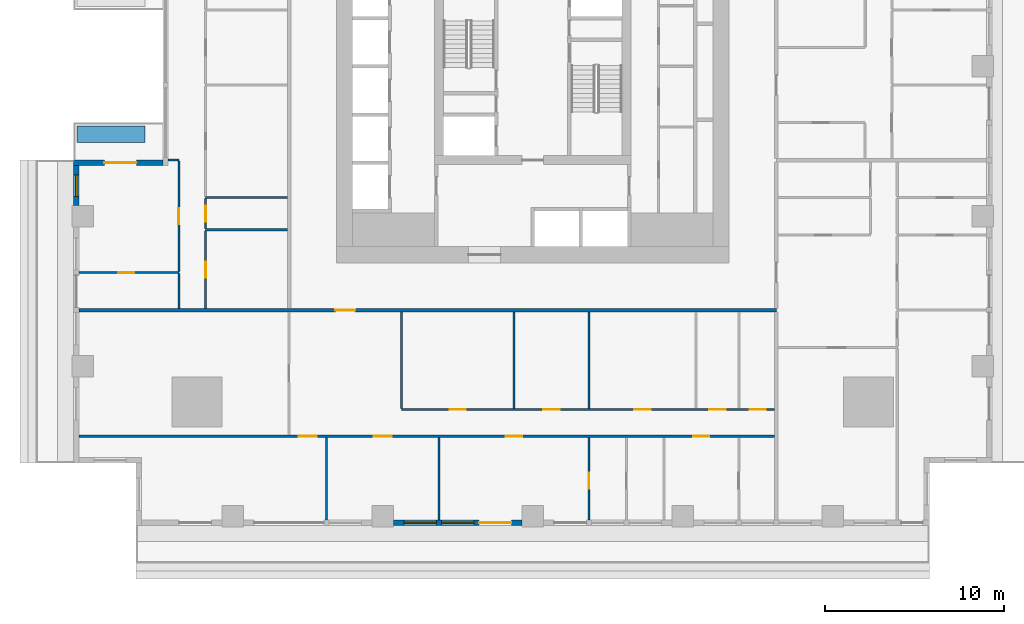
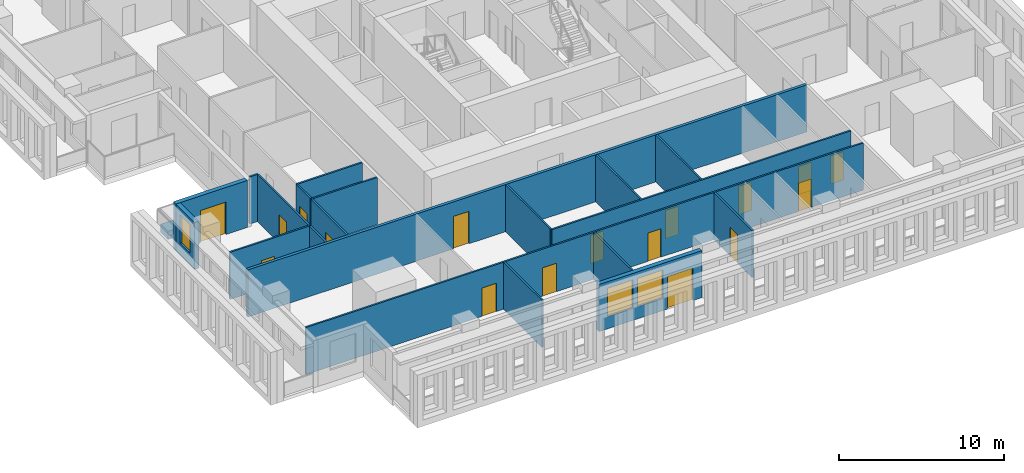
# One storey, part 2 of 14: 21 walls, 17 doors, 3 windows, 20 openings.
"""IFC4 building model written with IfcOpenShell, lengths in metres."""

from ifc_helpers import new_model, si_unit, direction, frame, frame_2d, origin, place, context, subcontext, project, spatial, rectangle, extrude, material, layer, layer_set, type_object, element, fill, save


model = new_model("IFC4")

# Units and contexts
model_context = context("Model", 3, precision=1e-05, world=origin(), true_north=direction((0.0, 1.0)))
body_context = subcontext(model_context, "Body", "Model", "MODEL_VIEW")
ifc_project = project(units=[si_unit("LENGTHUNIT", "METRE"), si_unit("AREAUNIT", "SQUARE_METRE"), si_unit("VOLUMEUNIT", "CUBIC_METRE"), si_unit("PLANEANGLEUNIT", "RADIAN"), si_unit("MASSUNIT", "GRAM", prefix="KILO")], contexts=[model_context])

# Site, building, storey
site_placement = place(None, origin())
site = spatial("IfcSite", under=ifc_project, at=site_placement, CompositionType="ELEMENT")
building_placement = place(site_placement, origin())
building = spatial("IfcBuilding", under=site, at=building_placement, Name="Khepri Terraces", CompositionType="ELEMENT")
storey_placement = place(building_placement, frame((0.0, 0.0, 87.0)))
storey = spatial("IfcBuildingStorey", under=building, at=storey_placement, Name="L20", CompositionType="ELEMENT", Elevation=87.0)

# Wall, opening, door
ifc_material_1 = material(Name="Fire-rated gypsum plasterboard partition, mineral wool")
ifc_layer_1 = layer(ifc_material_1, 0.199951171875, Name="Fire-rated gypsum plasterboard partition, mineral wool")
ifc_layer_set_1 = layer_set([ifc_layer_1], Name="Fire-rated gypsum plasterboard partition, mineral wool")
wall_type_1 = type_object("IfcWallType", Name="WL-CORR-200", PredefinedType="PARTITIONING", material=ifc_layer_set_1)
wall_1_placement = place(storey_placement, frame((-25.419921875, -13.64990234375, 0.0), z_axis=(0.0, 0.0, 1.0), x_axis=(1.0, 0.0, 0.0)))
wall_1 = element("IfcWall", 1, at=wall_1_placement, inside=storey, type_object=wall_type_1, Name="Partition P-019 L20", PredefinedType="PARTITIONING", context=body_context, shape_type="SweptSolid", body=[
    extrude(rectangle(XDim=39.06982421875, YDim=0.199951171875, at=frame_2d((19.534912109375, 0.0))), origin(), (0.0, 0.0, 1.0), 3.47998046875),
])
opening_1_placement = place(wall_1_placement, frame((14.3701171875, 0.0, 0.0)))
opening_1 = element("IfcOpeningElement", 2, at=opening_1_placement, cuts=wall_1, Name="Opening D1", PredefinedType="OPENING", context=body_context, shape_type="SweptSolid", body=[
    extrude(rectangle(XDim=1.10009765625, YDim=2.39990234375, at=frame_2d((0.550048828125, 1.199951171875))), frame((0.0, 0.10986328125, 0.0), z_axis=(0.0, -1.0, 0.0), x_axis=(1.0, 0.0, 0.0)), (0.0, 0.0, 1.0), 0.219970703125),
])
ifc_material_2 = material(Name="Solid-core timber door leaf, flat entrance door", Category="wood")
door_type_1 = type_object("IfcDoorType", Name="DR-ENT-1100", OperationType="NOTDEFINED", PredefinedType="DOOR", material=ifc_material_2)
door_1_placement = place(opening_1_placement, frame((1.10009765625, 0.0, 0.0), z_axis=(0.0, 0.0, 1.0), x_axis=(-1.0, 0.0, 0.0)))
door_1 = element("IfcDoor", 3, at=door_1_placement, inside=storey, type_object=door_type_1, Name="Flat A1 entrance door", OperationType="SINGLE_SWING_RIGHT", OverallHeight=2.39990234375, OverallWidth=1.10009765625, PredefinedType="DOOR", context=body_context, shape_type="SweptSolid", body=[
    extrude(rectangle(XDim=1.10009765625, YDim=2.39990234375, at=frame_2d((0.550048828125, 1.199951171875))), frame((0.0, 0.02490234375, 0.0), z_axis=(0.0, -1.0, 0.0), x_axis=(1.0, 0.0, 0.0)), (0.0, 0.0, 1.0), 0.050048828125),
])
fill(opening_1, door_1)

ifc_material_3 = material(Name="Precast concrete C50/60 warm stone", Category="masonry")
ifc_layer_2 = layer(ifc_material_3, 0.300048828125, Name="Precast concrete C50/60 warm stone", Category="masonry")
ifc_layer_set_2 = layer_set([ifc_layer_2], Name="Precast concrete C50/60 warm stone")
wall_type_2 = type_object("IfcWallType", Name="WL-EXT-PRECAST-300", PredefinedType="STANDARD", material=ifc_layer_set_2)
wall_2_placement = place(storey_placement, frame((-20.719970703125, -5.39990234375, 0.0), z_axis=(0.0, 0.0, 1.0), x_axis=(-1.0, 0.0, 0.0)))
wall_2 = element("IfcWall", 4, at=wall_2_placement, inside=storey, type_object=wall_type_2, Name="External wall L20 N", PredefinedType="STANDARD", context=body_context, shape_type="SweptSolid", body=[
    extrude(rectangle(XDim=5.0, YDim=0.300048828125, at=frame_2d((2.5, 0.0))), origin(), (0.0, 0.0, 1.0), 3.47998046875),
])
opening_2_placement = place(wall_2_placement, frame((1.47998046875, 0.0, 0.0)))
opening_2 = element("IfcOpeningElement", 5, at=opening_2_placement, cuts=wall_2, Name="Opening ED-L20-18", PredefinedType="OPENING", context=body_context, shape_type="SweptSolid", body=[
    extrude(rectangle(XDim=1.800048828125, YDim=2.39990234375, at=frame_2d((0.89990234375, 1.199951171875))), frame((0.0, 0.16015625, 0.0), z_axis=(0.0, -1.0, 0.0), x_axis=(1.0, 0.0, 0.0)), (0.0, 0.0, 1.0), 0.320068359375),
])
ifc_material_4 = material(Name="Anodised aluminium bronze glazed door", Category="aluminium")
door_type_2 = type_object("IfcDoorType", Name="DR-BAL-SLIDE-1800x2400", OperationType="NOTDEFINED", PredefinedType="DOOR", material=ifc_material_4)
door_2_placement = place(opening_2_placement, origin())
door_2 = element("IfcDoor", 6, at=door_2_placement, inside=storey, type_object=door_type_2, Name="Balcony door L20 N", OperationType="SLIDING_TO_RIGHT", OverallHeight=2.39990234375, OverallWidth=1.800048828125, PredefinedType="DOOR", context=body_context, shape_type="SweptSolid", body=[
    extrude(rectangle(XDim=1.800048828125, YDim=2.39990234375, at=frame_2d((0.89990234375, 1.199951171875))), frame((0.0, 0.02490234375, 0.0), z_axis=(0.0, -1.0, 0.0), x_axis=(1.0, 0.0, 0.0)), (0.0, 0.0, 1.0), 0.050048828125),
])
fill(opening_2, door_2)

# Wall, opening, window
wall_3_placement = place(storey_placement, frame((-25.570068359375, -5.550048828125, 0.0), z_axis=(0.0, 0.0, 1.0), x_axis=(0.0, -1.0, 0.0)))
wall_3 = element("IfcWall", 7, at=wall_3_placement, inside=storey, type_object=wall_type_2, Name="External wall L20 W", PredefinedType="STANDARD", context=body_context, shape_type="SweptSolid", body=[
    extrude(rectangle(XDim=2.25, YDim=0.300048828125, at=frame_2d((1.125, 0.0))), origin(), (0.0, 0.0, 1.0), 3.47998046875),
])
opening_3_placement = place(wall_3_placement, frame((0.52490234375, 0.0, 0.89990234375)))
opening_3 = element("IfcOpeningElement", 8, at=opening_3_placement, cuts=wall_3, Name="Opening W4", PredefinedType="OPENING", context=body_context, shape_type="SweptSolid", body=[
    extrude(rectangle(XDim=1.199951171875, YDim=2.10009765625, at=frame_2d((0.60009765625, 1.050048828125))), frame((0.0, 0.16015625, 0.0), z_axis=(0.0, -1.0, 0.0), x_axis=(1.0, 0.0, 0.0)), (0.0, 0.0, 1.0), 0.320068359375),
])
ifc_material_5 = material(Name="Clear glass", Category="glass")
window_type_1 = type_object("IfcWindowType", Name="WIN-RES-1200x2100", PartitioningType="SINGLE_PANEL", PredefinedType="WINDOW", material=ifc_material_5)
window_1_placement = place(opening_3_placement, origin())
window_1 = element("IfcWindow", 9, at=window_1_placement, inside=storey, type_object=window_type_1, Name="Window L20 W", OverallHeight=2.10009765625, OverallWidth=1.199951171875, PartitioningType="SINGLE_PANEL", PredefinedType="WINDOW", context=body_context, shape_type="SweptSolid", body=[
    extrude(rectangle(XDim=1.199951171875, YDim=2.10009765625, at=frame_2d((0.60009765625, 1.050048828125))), frame((0.0, 0.030029296875, 0.0), z_axis=(0.0, -1.0, 0.0), x_axis=(1.0, 0.0, 0.0)), (0.0, 0.0, 1.0), 0.06005859375),
])
fill(opening_3, window_1)

# Wall, openings, door, windows
wall_4_placement = place(storey_placement, frame((-7.800048828125, -25.570068359375, 0.0), z_axis=(0.0, 0.0, 1.0), x_axis=(1.0, 0.0, 0.0)))
wall_4 = element("IfcWall", 10, at=wall_4_placement, inside=storey, type_object=wall_type_2, Name="External wall L20 S", PredefinedType="STANDARD", context=body_context, shape_type="SweptSolid", body=[
    extrude(rectangle(XDim=7.199951171875, YDim=0.300048828125, at=frame_2d((3.60009765625, 0.0))), origin(), (0.0, 0.0, 1.0), 3.47998046875),
])
opening_4_placement = place(wall_4_placement, frame((0.60009765625, 0.0, 0.89990234375)))
opening_4 = element("IfcOpeningElement", 11, at=opening_4_placement, cuts=wall_4, Name="Opening W1", PredefinedType="OPENING", context=body_context, shape_type="SweptSolid", body=[
    extrude(rectangle(XDim=1.800048828125, YDim=2.10009765625, at=frame_2d((0.89990234375, 1.050048828125))), frame((0.0, 0.16015625, 0.0), z_axis=(0.0, -1.0, 0.0), x_axis=(1.0, 0.0, 0.0)), (0.0, 0.0, 1.0), 0.320068359375),
])
opening_5_placement = place(wall_4_placement, frame((2.699951171875, 0.0, 0.89990234375)))
opening_5 = element("IfcOpeningElement", 12, at=opening_5_placement, cuts=wall_4, Name="Opening W1", PredefinedType="OPENING", context=body_context, shape_type="SweptSolid", body=[
    extrude(rectangle(XDim=1.800048828125, YDim=2.10009765625, at=frame_2d((0.89990234375, 1.050048828125))), frame((0.0, 0.16015625, 0.0), z_axis=(0.0, -1.0, 0.0), x_axis=(1.0, 0.0, 0.0)), (0.0, 0.0, 1.0), 0.320068359375),
])
opening_6_placement = place(wall_4_placement, frame((4.800048828125, 0.0, 0.0)))
opening_6 = element("IfcOpeningElement", 13, at=opening_6_placement, cuts=wall_4, Name="Opening ED-L20-22", PredefinedType="OPENING", context=body_context, shape_type="SweptSolid", body=[
    extrude(rectangle(XDim=1.800048828125, YDim=2.39990234375, at=frame_2d((0.89990234375, 1.199951171875))), frame((0.0, 0.16015625, 0.0), z_axis=(0.0, -1.0, 0.0), x_axis=(1.0, 0.0, 0.0)), (0.0, 0.0, 1.0), 0.320068359375),
])
door_3_placement = place(opening_6_placement, origin())
door_3 = element("IfcDoor", 14, at=door_3_placement, inside=storey, type_object=door_type_2, Name="Balcony door L20 S", OperationType="SLIDING_TO_RIGHT", OverallHeight=2.39990234375, OverallWidth=1.800048828125, PredefinedType="DOOR", context=body_context, shape_type="SweptSolid", body=[
    extrude(rectangle(XDim=1.800048828125, YDim=2.39990234375, at=frame_2d((0.89990234375, 1.199951171875))), frame((0.0, 0.02490234375, 0.0), z_axis=(0.0, -1.0, 0.0), x_axis=(1.0, 0.0, 0.0)), (0.0, 0.0, 1.0), 0.050048828125),
])
fill(opening_6, door_3)
window_type_2 = type_object("IfcWindowType", Name="WIN-RES-1800x2100", PartitioningType="SINGLE_PANEL", PredefinedType="WINDOW", material=ifc_material_5)
window_2_placement = place(opening_4_placement, origin())
window_2 = element("IfcWindow", 15, at=window_2_placement, inside=storey, type_object=window_type_2, Name="Window L20 S", OverallHeight=2.10009765625, OverallWidth=1.800048828125, PartitioningType="SINGLE_PANEL", PredefinedType="WINDOW", context=body_context, shape_type="SweptSolid", body=[
    extrude(rectangle(XDim=1.800048828125, YDim=2.10009765625, at=frame_2d((0.89990234375, 1.050048828125))), frame((0.0, 0.030029296875, 0.0), z_axis=(0.0, -1.0, 0.0), x_axis=(1.0, 0.0, 0.0)), (0.0, 0.0, 1.0), 0.06005859375),
])
fill(opening_4, window_2)
window_3_placement = place(opening_5_placement, origin())
window_3 = element("IfcWindow", 16, at=window_3_placement, inside=storey, type_object=window_type_2, Name="Window L20 S", OverallHeight=2.10009765625, OverallWidth=1.800048828125, PartitioningType="SINGLE_PANEL", PredefinedType="WINDOW", context=body_context, shape_type="SweptSolid", body=[
    extrude(rectangle(XDim=1.800048828125, YDim=2.10009765625, at=frame_2d((0.89990234375, 1.050048828125))), frame((0.0, 0.030029296875, 0.0), z_axis=(0.0, -1.0, 0.0), x_axis=(1.0, 0.0, 0.0)), (0.0, 0.0, 1.0), 0.06005859375),
])
fill(opening_5, window_3)

# Walls
ifc_material_6 = material(Name="Gypsum plasterboard partition")
ifc_layer_3 = layer(ifc_material_6, 0.1201171875, Name="Gypsum plasterboard partition")
ifc_layer_set_3 = layer_set([ifc_layer_3], Name="Gypsum plasterboard partition")
wall_type_3 = type_object("IfcWallType", Name="WL-PART-120", PredefinedType="PARTITIONING", material=ifc_layer_set_3)
for number, where, z_axis, x_axis, name in (
    (17, (-11.550048828125, -25.419921875, 0.0), (0.0, 0.0, 1.0), (0.0, 1.0, 0.0), "Partition P-001 L20"),
    (18, (-5.25, -25.419921875, 0.0), (0.0, 0.0, 1.0), (0.0, 1.0, 0.0), "Partition P-002 L20"),
):
    element("IfcWall", number, at=place(storey_placement, frame(where, z_axis=z_axis, x_axis=x_axis)), inside=storey, type_object=wall_type_3, Name=name, PredefinedType="PARTITIONING", context=body_context, shape_type="SweptSolid", body=[
        extrude(rectangle(XDim=4.639892578125, YDim=0.1201171875, at=frame_2d((2.31982421875, 0.0))), origin(), (0.0, 0.0, 1.0), 3.47998046875),
    ])

# Wall, opening, door
wall_5_placement = place(storey_placement, frame((3.14990234375, -25.419921875, 0.0), z_axis=(0.0, 0.0, 1.0), x_axis=(0.0, 1.0, 0.0)))
wall_5 = element("IfcWall", 19, at=wall_5_placement, inside=storey, type_object=wall_type_3, Name="Partition P-003 L20", PredefinedType="PARTITIONING", context=body_context, shape_type="SweptSolid", body=[
    extrude(rectangle(XDim=4.639892578125, YDim=0.1201171875, at=frame_2d((2.31982421875, 0.0))), origin(), (0.0, 0.0, 1.0), 3.47998046875),
])
opening_7_placement = place(wall_5_placement, frame((1.75, 0.0, 0.0)))
opening_7 = element("IfcOpeningElement", 20, at=opening_7_placement, cuts=wall_5, Name="Opening D3", PredefinedType="OPENING", context=body_context, shape_type="SweptSolid", body=[
    extrude(rectangle(XDim=0.89990234375, YDim=2.10009765625, at=frame_2d((0.449951171875, 1.050048828125))), frame((0.0, 0.070068359375, 0.0), z_axis=(0.0, -1.0, 0.0), x_axis=(1.0, 0.0, 0.0)), (0.0, 0.0, 1.0), 0.14013671875),
])
ifc_material_7 = material(Name="Timber door leaf", Category="wood")
door_type_3 = type_object("IfcDoorType", Name="DR-INT-900", OperationType="NOTDEFINED", PredefinedType="DOOR", material=ifc_material_7)
door_4_placement = place(opening_7_placement, frame((0.89990234375, 0.0, 0.0), z_axis=(0.0, 0.0, 1.0), x_axis=(-1.0, 0.0, 0.0)))
door_4 = element("IfcDoor", 21, at=door_4_placement, inside=storey, type_object=door_type_3, Name="Door Dressing Room", OperationType="SINGLE_SWING_RIGHT", OverallHeight=2.10009765625, OverallWidth=0.89990234375, PredefinedType="DOOR", context=body_context, shape_type="SweptSolid", body=[
    extrude(rectangle(XDim=0.89990234375, YDim=2.10009765625, at=frame_2d((0.449951171875, 1.050048828125))), frame((0.0, 0.02490234375, 0.0), z_axis=(0.0, -1.0, 0.0), x_axis=(1.0, 0.0, 0.0)), (0.0, 0.0, 1.0), 0.050048828125),
])
fill(opening_7, door_4)

# Wall, openings, doors
wall_6_placement = place(storey_placement, frame((-25.419921875, -20.719970703125, 0.0), z_axis=(0.0, 0.0, 1.0), x_axis=(1.0, 0.0, 0.0)))
wall_6 = element("IfcWall", 22, at=wall_6_placement, inside=storey, type_object=wall_type_3, Name="Partition P-009 L20", PredefinedType="PARTITIONING", context=body_context, shape_type="SweptSolid", body=[
    extrude(rectangle(XDim=38.969970703125, YDim=0.1201171875, at=frame_2d((19.48486328125, 0.0))), origin(), (0.0, 0.0, 1.0), 3.47998046875),
])
opening_8_placement = place(wall_6_placement, frame((12.320068359375, 0.0, 0.0)))
opening_8 = element("IfcOpeningElement", 23, at=opening_8_placement, cuts=wall_6, Name="Opening D2", PredefinedType="OPENING", context=body_context, shape_type="SweptSolid", body=[
    extrude(rectangle(XDim=1.0, YDim=2.10009765625, at=frame_2d((0.5, 1.050048828125))), frame((0.0, 0.070068359375, 0.0), z_axis=(0.0, -1.0, 0.0), x_axis=(1.0, 0.0, 0.0)), (0.0, 0.0, 1.0), 0.14013671875),
])
opening_9_placement = place(wall_6_placement, frame((16.52001953125, 0.0, 0.0)))
opening_9 = element("IfcOpeningElement", 24, at=opening_9_placement, cuts=wall_6, Name="Opening D2", PredefinedType="OPENING", context=body_context, shape_type="SweptSolid", body=[
    extrude(rectangle(XDim=1.0, YDim=2.10009765625, at=frame_2d((0.5, 1.050048828125))), frame((0.0, 0.070068359375, 0.0), z_axis=(0.0, -1.0, 0.0), x_axis=(1.0, 0.0, 0.0)), (0.0, 0.0, 1.0), 0.14013671875),
])
opening_10_placement = place(wall_6_placement, frame((23.919921875, 0.0, 0.0)))
opening_10 = element("IfcOpeningElement", 25, at=opening_10_placement, cuts=wall_6, Name="Opening D3", PredefinedType="OPENING", context=body_context, shape_type="SweptSolid", body=[
    extrude(rectangle(XDim=0.89990234375, YDim=2.10009765625, at=frame_2d((0.449951171875, 1.050048828125))), frame((0.0, 0.070068359375, 0.0), z_axis=(0.0, -1.0, 0.0), x_axis=(1.0, 0.0, 0.0)), (0.0, 0.0, 1.0), 0.14013671875),
])
opening_11_placement = place(wall_6_placement, frame((34.419921875, 0.0, 0.0)))
opening_11 = element("IfcOpeningElement", 26, at=opening_11_placement, cuts=wall_6, Name="Opening D3", PredefinedType="OPENING", context=body_context, shape_type="SweptSolid", body=[
    extrude(rectangle(XDim=0.89990234375, YDim=2.10009765625, at=frame_2d((0.449951171875, 1.050048828125))), frame((0.0, 0.070068359375, 0.0), z_axis=(0.0, -1.0, 0.0), x_axis=(1.0, 0.0, 0.0)), (0.0, 0.0, 1.0), 0.14013671875),
])
ifc_material_8 = material(Name="Timber door leaf, living room door", Category="wood")
door_type_4 = type_object("IfcDoorType", Name="DR-INT-1000", OperationType="NOTDEFINED", PredefinedType="DOOR", material=ifc_material_8)
door_5_placement = place(opening_8_placement, frame((1.0, 0.0, 0.0), z_axis=(0.0, 0.0, 1.0), x_axis=(-1.0, 0.0, 0.0)))
door_5 = element("IfcDoor", 27, at=door_5_placement, inside=storey, type_object=door_type_4, Name="Door Living Room", OperationType="SINGLE_SWING_RIGHT", OverallHeight=2.10009765625, OverallWidth=1.0, PredefinedType="DOOR", context=body_context, shape_type="SweptSolid", body=[
    extrude(rectangle(XDim=1.0, YDim=2.10009765625, at=frame_2d((0.5, 1.050048828125))), frame((0.0, 0.02490234375, 0.0), z_axis=(0.0, -1.0, 0.0), x_axis=(1.0, 0.0, 0.0)), (0.0, 0.0, 1.0), 0.050048828125),
])
fill(opening_8, door_5)
door_6_placement = place(opening_9_placement, frame((1.0, 0.0, 0.0), z_axis=(0.0, 0.0, 1.0), x_axis=(-1.0, 0.0, 0.0)))
door_6 = element("IfcDoor", 28, at=door_6_placement, inside=storey, type_object=door_type_4, Name="Door Dining Room", OperationType="SINGLE_SWING_RIGHT", OverallHeight=2.10009765625, OverallWidth=1.0, PredefinedType="DOOR", context=body_context, shape_type="SweptSolid", body=[
    extrude(rectangle(XDim=1.0, YDim=2.10009765625, at=frame_2d((0.5, 1.050048828125))), frame((0.0, 0.02490234375, 0.0), z_axis=(0.0, -1.0, 0.0), x_axis=(1.0, 0.0, 0.0)), (0.0, 0.0, 1.0), 0.050048828125),
])
fill(opening_9, door_6)
door_7_placement = place(opening_10_placement, frame((0.89990234375, 0.0, 0.0), z_axis=(0.0, 0.0, 1.0), x_axis=(-1.0, 0.0, 0.0)))
door_7 = element("IfcDoor", 29, at=door_7_placement, inside=storey, type_object=door_type_3, Name="Door Master Bedroom", OperationType="SINGLE_SWING_LEFT", OverallHeight=2.10009765625, OverallWidth=0.89990234375, PredefinedType="DOOR", context=body_context, shape_type="SweptSolid", body=[
    extrude(rectangle(XDim=0.89990234375, YDim=2.10009765625, at=frame_2d((0.449951171875, 1.050048828125))), frame((0.0, 0.02490234375, 0.0), z_axis=(0.0, -1.0, 0.0), x_axis=(1.0, 0.0, 0.0)), (0.0, 0.0, 1.0), 0.050048828125),
])
fill(opening_10, door_7)
door_8_placement = place(opening_11_placement, frame((0.89990234375, 0.0, 0.0), z_axis=(0.0, 0.0, 1.0), x_axis=(-1.0, 0.0, 0.0)))
door_8 = element("IfcDoor", 30, at=door_8_placement, inside=storey, type_object=door_type_3, Name="Door Bedroom", OperationType="SINGLE_SWING_LEFT", OverallHeight=2.10009765625, OverallWidth=0.89990234375, PredefinedType="DOOR", context=body_context, shape_type="SweptSolid", body=[
    extrude(rectangle(XDim=0.89990234375, YDim=2.10009765625, at=frame_2d((0.449951171875, 1.050048828125))), frame((0.0, 0.02490234375, 0.0), z_axis=(0.0, -1.0, 0.0), x_axis=(1.0, 0.0, 0.0)), (0.0, 0.0, 1.0), 0.050048828125),
])
fill(opening_11, door_8)

wall_7_placement = place(storey_placement, frame((-7.35009765625, -19.219970703125, 0.0), z_axis=(0.0, 0.0, 1.0), x_axis=(1.0, 0.0, 0.0)))
wall_7 = element("IfcWall", 31, at=wall_7_placement, inside=storey, type_object=wall_type_3, Name="Partition P-011 L20", PredefinedType="PARTITIONING", context=body_context, shape_type="SweptSolid", body=[
    extrude(rectangle(XDim=20.900146484375, YDim=0.1201171875, at=frame_2d((10.4501953125, 0.0))), origin(), (0.0, 0.0, 1.0), 3.47998046875),
])
opening_12_placement = place(wall_7_placement, frame((2.699951171875, 0.0, 0.0)))
opening_12 = element("IfcOpeningElement", 32, at=opening_12_placement, cuts=wall_7, Name="Opening D3", PredefinedType="OPENING", context=body_context, shape_type="SweptSolid", body=[
    extrude(rectangle(XDim=0.89990234375, YDim=2.10009765625, at=frame_2d((0.449951171875, 1.050048828125))), frame((0.0, 0.070068359375, 0.0), z_axis=(0.0, -1.0, 0.0), x_axis=(1.0, 0.0, 0.0)), (0.0, 0.0, 1.0), 0.14013671875),
])
opening_13_placement = place(wall_7_placement, frame((7.949951171875, 0.0, 0.0)))
opening_13 = element("IfcOpeningElement", 33, at=opening_13_placement, cuts=wall_7, Name="Opening D3", PredefinedType="OPENING", context=body_context, shape_type="SweptSolid", body=[
    extrude(rectangle(XDim=0.89990234375, YDim=2.10009765625, at=frame_2d((0.449951171875, 1.050048828125))), frame((0.0, 0.070068359375, 0.0), z_axis=(0.0, -1.0, 0.0), x_axis=(1.0, 0.0, 0.0)), (0.0, 0.0, 1.0), 0.14013671875),
])
opening_14_placement = place(wall_7_placement, frame((13.050048828125, 0.0, 0.0)))
opening_14 = element("IfcOpeningElement", 34, at=opening_14_placement, cuts=wall_7, Name="Opening D3", PredefinedType="OPENING", context=body_context, shape_type="SweptSolid", body=[
    extrude(rectangle(XDim=0.89990234375, YDim=2.10009765625, at=frame_2d((0.449951171875, 1.050048828125))), frame((0.0, 0.070068359375, 0.0), z_axis=(0.0, -1.0, 0.0), x_axis=(1.0, 0.0, 0.0)), (0.0, 0.0, 1.0), 0.14013671875),
])
opening_15_placement = place(wall_7_placement, frame((17.25, 0.0, 0.0)))
opening_15 = element("IfcOpeningElement", 35, at=opening_15_placement, cuts=wall_7, Name="Opening D4", PredefinedType="OPENING", context=body_context, shape_type="SweptSolid", body=[
    extrude(rectangle(XDim=0.89990234375, YDim=2.10009765625, at=frame_2d((0.449951171875, 1.050048828125))), frame((0.0, 0.070068359375, 0.0), z_axis=(0.0, -1.0, 0.0), x_axis=(1.0, 0.0, 0.0)), (0.0, 0.0, 1.0), 0.14013671875),
])
opening_16_placement = place(wall_7_placement, frame((19.5, 0.0, 0.0)))
opening_16 = element("IfcOpeningElement", 36, at=opening_16_placement, cuts=wall_7, Name="Opening D4", PredefinedType="OPENING", context=body_context, shape_type="SweptSolid", body=[
    extrude(rectangle(XDim=0.89990234375, YDim=2.10009765625, at=frame_2d((0.449951171875, 1.050048828125))), frame((0.0, 0.070068359375, 0.0), z_axis=(0.0, -1.0, 0.0), x_axis=(1.0, 0.0, 0.0)), (0.0, 0.0, 1.0), 0.14013671875),
])
door_9_placement = place(opening_12_placement, origin())
door_9 = element("IfcDoor", 37, at=door_9_placement, inside=storey, type_object=door_type_3, Name="Door Kitchen", OperationType="SINGLE_SWING_LEFT", OverallHeight=2.10009765625, OverallWidth=0.89990234375, PredefinedType="DOOR", context=body_context, shape_type="SweptSolid", body=[
    extrude(rectangle(XDim=0.89990234375, YDim=2.10009765625, at=frame_2d((0.449951171875, 1.050048828125))), frame((0.0, 0.02490234375, 0.0), z_axis=(0.0, -1.0, 0.0), x_axis=(1.0, 0.0, 0.0)), (0.0, 0.0, 1.0), 0.050048828125),
])
fill(opening_12, door_9)
door_10_placement = place(opening_13_placement, origin())
door_10 = element("IfcDoor", 38, at=door_10_placement, inside=storey, type_object=door_type_3, Name="Door Utility Room", OperationType="SINGLE_SWING_LEFT", OverallHeight=2.10009765625, OverallWidth=0.89990234375, PredefinedType="DOOR", context=body_context, shape_type="SweptSolid", body=[
    extrude(rectangle(XDim=0.89990234375, YDim=2.10009765625, at=frame_2d((0.449951171875, 1.050048828125))), frame((0.0, 0.02490234375, 0.0), z_axis=(0.0, -1.0, 0.0), x_axis=(1.0, 0.0, 0.0)), (0.0, 0.0, 1.0), 0.050048828125),
])
fill(opening_13, door_10)
door_11_placement = place(opening_14_placement, origin())
door_11 = element("IfcDoor", 39, at=door_11_placement, inside=storey, type_object=door_type_3, Name="Door Staff Bedroom", OperationType="SINGLE_SWING_RIGHT", OverallHeight=2.10009765625, OverallWidth=0.89990234375, PredefinedType="DOOR", context=body_context, shape_type="SweptSolid", body=[
    extrude(rectangle(XDim=0.89990234375, YDim=2.10009765625, at=frame_2d((0.449951171875, 1.050048828125))), frame((0.0, 0.02490234375, 0.0), z_axis=(0.0, -1.0, 0.0), x_axis=(1.0, 0.0, 0.0)), (0.0, 0.0, 1.0), 0.050048828125),
])
fill(opening_14, door_11)
ifc_material_9 = material(Name="Timber door leaf, moisture resistant", Category="wood")
door_type_5 = type_object("IfcDoorType", Name="DR-WET-900", OperationType="NOTDEFINED", PredefinedType="DOOR", material=ifc_material_9)
door_12_placement = place(opening_15_placement, origin())
door_12 = element("IfcDoor", 40, at=door_12_placement, inside=storey, type_object=door_type_5, Name="Door Powder Room", OperationType="SINGLE_SWING_RIGHT", OverallHeight=2.10009765625, OverallWidth=0.89990234375, PredefinedType="DOOR", context=body_context, shape_type="SweptSolid", body=[
    extrude(rectangle(XDim=0.89990234375, YDim=2.10009765625, at=frame_2d((0.449951171875, 1.050048828125))), frame((0.0, 0.02490234375, 0.0), z_axis=(0.0, -1.0, 0.0), x_axis=(1.0, 0.0, 0.0)), (0.0, 0.0, 1.0), 0.050048828125),
])
fill(opening_15, door_12)
door_13_placement = place(opening_16_placement, origin())
door_13 = element("IfcDoor", 41, at=door_13_placement, inside=storey, type_object=door_type_5, Name="Door Guest Bathroom", OperationType="SINGLE_SWING_RIGHT", OverallHeight=2.10009765625, OverallWidth=0.89990234375, PredefinedType="DOOR", context=body_context, shape_type="SweptSolid", body=[
    extrude(rectangle(XDim=0.89990234375, YDim=2.10009765625, at=frame_2d((0.449951171875, 1.050048828125))), frame((0.0, 0.02490234375, 0.0), z_axis=(0.0, -1.0, 0.0), x_axis=(1.0, 0.0, 0.0)), (0.0, 0.0, 1.0), 0.050048828125),
])
fill(opening_16, door_13)

# Walls
for number, where, z_axis, x_axis, name in (
    (42, (-7.35009765625, -19.159912109375, 0.0), (0.0, 0.0, 1.0), (0.0, 1.0, 0.0), "Partition P-012 L20"),
    (43, (-1.050048828125, -19.159912109375, 0.0), (0.0, 0.0, 1.0), (0.0, 1.0, 0.0), "Partition P-013 L20"),
    (44, (3.14990234375, -19.159912109375, 0.0), (0.0, 0.0, 1.0), (0.0, 1.0, 0.0), "Partition P-014 L20"),
):
    element("IfcWall", number, at=place(storey_placement, frame(where, z_axis=z_axis, x_axis=x_axis)), inside=storey, type_object=wall_type_3, Name=name, PredefinedType="PARTITIONING", context=body_context, shape_type="SweptSolid", body=[
        extrude(rectangle(XDim=5.409912109375, YDim=0.1201171875, at=frame_2d((2.705078125, 0.0))), origin(), (0.0, 0.0, 1.0), 3.47998046875),
    ])
wall_8_placement = place(storey_placement, frame((-19.820068359375, -13.550048828125, 0.0), z_axis=(0.0, 0.0, 1.0), x_axis=(0.0, 1.0, 0.0)))
element("IfcWall", 45, at=wall_8_placement, inside=storey, type_object=wall_type_3, Name="Partition P-022 L20", PredefinedType="PARTITIONING", context=body_context, shape_type="SweptSolid", body=[
    extrude(rectangle(XDim=1.93994140625, YDim=0.1201171875, at=frame_2d((0.969970703125, 0.0))), origin(), (0.0, 0.0, 1.0), 3.47998046875),
])

# Wall, opening, door
wall_9_placement = place(storey_placement, frame((-18.320068359375, -13.550048828125, 0.0), z_axis=(0.0, 0.0, 1.0), x_axis=(0.0, 1.0, 0.0)))
wall_9 = element("IfcWall", 46, at=wall_9_placement, inside=storey, type_object=wall_type_3, Name="Partition P-023 L20", PredefinedType="PARTITIONING", context=body_context, shape_type="SweptSolid", body=[
    extrude(rectangle(XDim=4.340087890625, YDim=0.1201171875, at=frame_2d((2.169921875, 0.0))), origin(), (0.0, 0.0, 1.0), 3.47998046875),
])
opening_17_placement = place(wall_9_placement, frame((1.699951171875, 0.0, 0.0)))
opening_17 = element("IfcOpeningElement", 47, at=opening_17_placement, cuts=wall_9, Name="Opening D4", PredefinedType="OPENING", context=body_context, shape_type="SweptSolid", body=[
    extrude(rectangle(XDim=0.89990234375, YDim=2.10009765625, at=frame_2d((0.449951171875, 1.050048828125))), frame((0.0, 0.070068359375, 0.0), z_axis=(0.0, -1.0, 0.0), x_axis=(1.0, 0.0, 0.0)), (0.0, 0.0, 1.0), 0.14013671875),
])
door_14_placement = place(opening_17_placement, frame((0.89990234375, 0.0, 0.0), z_axis=(0.0, 0.0, 1.0), x_axis=(-1.0, 0.0, 0.0)))
door_14 = element("IfcDoor", 48, at=door_14_placement, inside=storey, type_object=door_type_5, Name="Door Guest Bathroom", OperationType="SINGLE_SWING_RIGHT", OverallHeight=2.10009765625, OverallWidth=0.89990234375, PredefinedType="DOOR", context=body_context, shape_type="SweptSolid", body=[
    extrude(rectangle(XDim=0.89990234375, YDim=2.10009765625, at=frame_2d((0.449951171875, 1.050048828125))), frame((0.0, 0.02490234375, 0.0), z_axis=(0.0, -1.0, 0.0), x_axis=(1.0, 0.0, 0.0)), (0.0, 0.0, 1.0), 0.050048828125),
])
fill(opening_17, door_14)

wall_10_placement = place(storey_placement, frame((-25.419921875, -11.550048828125, 0.0), z_axis=(0.0, 0.0, 1.0), x_axis=(1.0, 0.0, 0.0)))
wall_10 = element("IfcWall", 49, at=wall_10_placement, inside=storey, type_object=wall_type_3, Name="Partition P-026 L20", PredefinedType="PARTITIONING", context=body_context, shape_type="SweptSolid", body=[
    extrude(rectangle(XDim=5.599853515625, YDim=0.1201171875, at=frame_2d((2.7998046875, 0.0))), origin(), (0.0, 0.0, 1.0), 3.47998046875),
])
opening_18_placement = place(wall_10_placement, frame((2.199951171875, 0.0, 0.0)))
opening_18 = element("IfcOpeningElement", 50, at=opening_18_placement, cuts=wall_10, Name="Opening D4", PredefinedType="OPENING", context=body_context, shape_type="SweptSolid", body=[
    extrude(rectangle(XDim=0.89990234375, YDim=2.10009765625, at=frame_2d((0.449951171875, 1.050048828125))), frame((0.0, 0.070068359375, 0.0), z_axis=(0.0, -1.0, 0.0), x_axis=(1.0, 0.0, 0.0)), (0.0, 0.0, 1.0), 0.14013671875),
])
door_15_placement = place(opening_18_placement, frame((0.89990234375, 0.0, 0.0), z_axis=(0.0, 0.0, 1.0), x_axis=(-1.0, 0.0, 0.0)))
door_15 = element("IfcDoor", 51, at=door_15_placement, inside=storey, type_object=door_type_5, Name="Door Bathroom", OperationType="SINGLE_SWING_RIGHT", OverallHeight=2.10009765625, OverallWidth=0.89990234375, PredefinedType="DOOR", context=body_context, shape_type="SweptSolid", body=[
    extrude(rectangle(XDim=0.89990234375, YDim=2.10009765625, at=frame_2d((0.449951171875, 1.050048828125))), frame((0.0, 0.02490234375, 0.0), z_axis=(0.0, -1.0, 0.0), x_axis=(1.0, 0.0, 0.0)), (0.0, 0.0, 1.0), 0.050048828125),
])
fill(opening_18, door_15)

wall_11_placement = place(storey_placement, frame((-19.820068359375, -11.489990234375, 0.0), z_axis=(0.0, 0.0, 1.0), x_axis=(0.0, 1.0, 0.0)))
wall_11 = element("IfcWall", 52, at=wall_11_placement, inside=storey, type_object=wall_type_3, Name="Partition P-027 L20", PredefinedType="PARTITIONING", context=body_context, shape_type="SweptSolid", body=[
    extrude(rectangle(XDim=6.179931640625, YDim=0.1201171875, at=frame_2d((3.08984375, 0.0))), origin(), (0.0, 0.0, 1.0), 3.47998046875),
])
opening_19_placement = place(wall_11_placement, frame((2.639892578125, 0.0, 0.0)))
opening_19 = element("IfcOpeningElement", 53, at=opening_19_placement, cuts=wall_11, Name="Opening D3", PredefinedType="OPENING", context=body_context, shape_type="SweptSolid", body=[
    extrude(rectangle(XDim=0.89990234375, YDim=2.10009765625, at=frame_2d((0.449951171875, 1.050048828125))), frame((0.0, 0.070068359375, 0.0), z_axis=(0.0, -1.0, 0.0), x_axis=(1.0, 0.0, 0.0)), (0.0, 0.0, 1.0), 0.14013671875),
])
door_16_placement = place(opening_19_placement, origin())
door_16 = element("IfcDoor", 54, at=door_16_placement, inside=storey, type_object=door_type_3, Name="Door Bedroom", OperationType="SINGLE_SWING_LEFT", OverallHeight=2.10009765625, OverallWidth=0.89990234375, PredefinedType="DOOR", context=body_context, shape_type="SweptSolid", body=[
    extrude(rectangle(XDim=0.89990234375, YDim=2.10009765625, at=frame_2d((0.449951171875, 1.050048828125))), frame((0.0, 0.02490234375, 0.0), z_axis=(0.0, -1.0, 0.0), x_axis=(1.0, 0.0, 0.0)), (0.0, 0.0, 1.0), 0.050048828125),
])
fill(opening_19, door_16)

# Wall
wall_12_placement = place(storey_placement, frame((-18.320068359375, -9.14990234375, 0.0), z_axis=(0.0, 0.0, 1.0), x_axis=(1.0, 0.0, 0.0)))
element("IfcWall", 55, at=wall_12_placement, inside=storey, type_object=wall_type_3, Name="Partition P-032 L20", PredefinedType="PARTITIONING", context=body_context, shape_type="SweptSolid", body=[
    extrude(rectangle(XDim=4.570068359375, YDim=0.1201171875, at=frame_2d((2.28515625, 0.0))), origin(), (0.0, 0.0, 1.0), 3.47998046875),
])

# Wall, opening, door
wall_13_placement = place(storey_placement, frame((-18.320068359375, -9.090087890625, 0.0), z_axis=(0.0, 0.0, 1.0), x_axis=(0.0, 1.0, 0.0)))
wall_13 = element("IfcWall", 56, at=wall_13_placement, inside=storey, type_object=wall_type_3, Name="Partition P-033 L20", PredefinedType="PARTITIONING", context=body_context, shape_type="SweptSolid", body=[
    extrude(rectangle(XDim=1.68017578125, YDim=0.1201171875, at=frame_2d((0.840087890625, 0.0))), origin(), (0.0, 0.0, 1.0), 3.47998046875),
])
opening_20_placement = place(wall_13_placement, frame((0.389892578125, 0.0, 0.0)))
opening_20 = element("IfcOpeningElement", 57, at=opening_20_placement, cuts=wall_13, Name="Opening D4", PredefinedType="OPENING", context=body_context, shape_type="SweptSolid", body=[
    extrude(rectangle(XDim=0.89990234375, YDim=2.10009765625, at=frame_2d((0.449951171875, 1.050048828125))), frame((0.0, 0.070068359375, 0.0), z_axis=(0.0, -1.0, 0.0), x_axis=(1.0, 0.0, 0.0)), (0.0, 0.0, 1.0), 0.14013671875),
])
door_17_placement = place(opening_20_placement, frame((0.89990234375, 0.0, 0.0), z_axis=(0.0, 0.0, 1.0), x_axis=(-1.0, 0.0, 0.0)))
door_17 = element("IfcDoor", 58, at=door_17_placement, inside=storey, type_object=door_type_5, Name="Door Powder Room", OperationType="SINGLE_SWING_LEFT", OverallHeight=2.10009765625, OverallWidth=0.89990234375, PredefinedType="DOOR", context=body_context, shape_type="SweptSolid", body=[
    extrude(rectangle(XDim=0.89990234375, YDim=2.10009765625, at=frame_2d((0.449951171875, 1.050048828125))), frame((0.0, 0.02490234375, 0.0), z_axis=(0.0, -1.0, 0.0), x_axis=(1.0, 0.0, 0.0)), (0.0, 0.0, 1.0), 0.050048828125),
])
fill(opening_20, door_17)

# Walls
wall_14_placement = place(storey_placement, frame((-18.320068359375, -7.35009765625, 0.0), z_axis=(0.0, 0.0, 1.0), x_axis=(1.0, 0.0, 0.0)))
element("IfcWall", 59, at=wall_14_placement, inside=storey, type_object=wall_type_3, Name="Partition P-034 L20", PredefinedType="PARTITIONING", context=body_context, shape_type="SweptSolid", body=[
    extrude(rectangle(XDim=4.570068359375, YDim=0.1201171875, at=frame_2d((2.28515625, 0.0))), origin(), (0.0, 0.0, 1.0), 3.47998046875),
])
wall_15_placement = place(storey_placement, frame((-20.419921875, -5.25, 0.0), z_axis=(0.0, 0.0, 1.0), x_axis=(1.0, 0.0, 0.0)))
element("IfcWall", 60, at=wall_15_placement, inside=storey, type_object=wall_type_3, Name="Partition P-040 L20", PredefinedType="PARTITIONING", context=body_context, shape_type="SweptSolid", body=[
    extrude(rectangle(XDim=0.599853515625, YDim=0.1201171875, at=frame_2d((0.2998046875, 0.0))), origin(), (0.0, 0.0, 1.0), 3.47998046875),
])
ifc_layer_4 = layer(ifc_material_3, 0.89990234375, Name="Precast concrete C50/60 warm stone", Category="masonry")
ifc_layer_set_4 = layer_set([ifc_layer_4], Name="Precast concrete C50/60 warm stone")
wall_type_4 = type_object("IfcWallType", Name="WL-PLANTER-900", PredefinedType="MOVABLE", material=ifc_layer_set_4)
wall_16_placement = place(storey_placement, frame((-25.52001953125, -3.800048828125, 0.0), z_axis=(0.0, 0.0, 1.0), x_axis=(1.0, 0.0, 0.0)))
element("IfcWall", 61, at=wall_16_placement, inside=storey, type_object=wall_type_4, Name="Planter L20", PredefinedType="MOVABLE", context=body_context, shape_type="SweptSolid", body=[
    extrude(rectangle(XDim=3.800048828125, YDim=0.89990234375, at=frame_2d((1.89990234375, 0.0))), origin(), (0.0, 0.0, 1.0), 0.60009765625),
])

save(model, "model.ifc")
